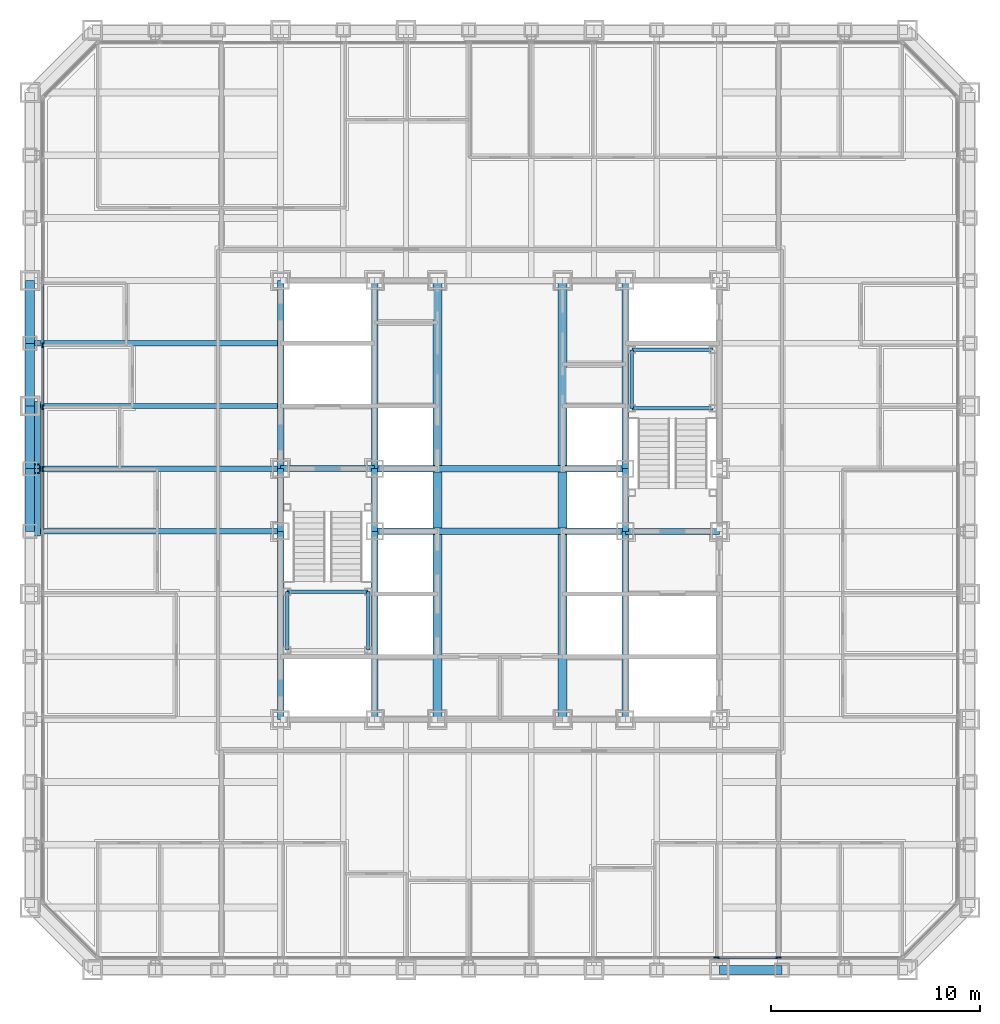
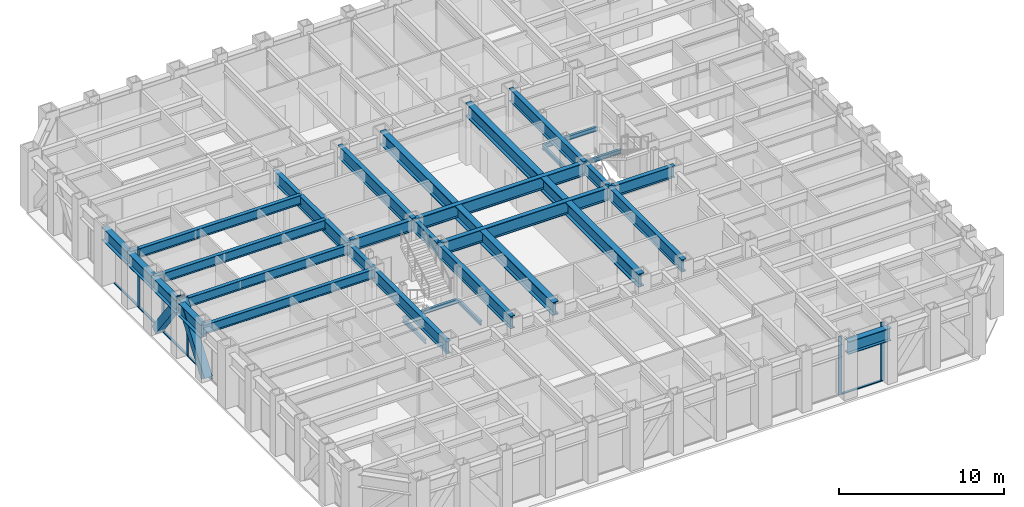
# One storey, part 3 of 16: 34 beams, 12 members, 2 elements without a shape of their own.
"""IFC4 building model written with IfcOpenShell, lengths in metres."""

from ifc_helpers import new_model, si_unit, direction, frame, origin, origin_2d, place, context, subcontext, project, spatial, rectangle, hollow_rectangle, i_section, extrude, material, layer, layer_set, material_profile, profile_set, type_object, element, aggregate, save


model = new_model("IFC4")

# Units and contexts
model_context = context("Model", 3, precision=1e-05, world=origin(), true_north=direction((0.0, 1.0)))
body_context = subcontext(model_context, "Body", "Model", "MODEL_VIEW")
ifc_project = project(units=[si_unit("LENGTHUNIT", "METRE"), si_unit("AREAUNIT", "SQUARE_METRE"), si_unit("VOLUMEUNIT", "CUBIC_METRE"), si_unit("PLANEANGLEUNIT", "RADIAN"), si_unit("MASSUNIT", "GRAM", prefix="KILO")], contexts=[model_context])

# Site, building, storey
site_placement = place(None, origin())
site = spatial("IfcSite", under=ifc_project, at=site_placement, CompositionType="ELEMENT")
building_placement = place(site_placement, origin())
building = spatial("IfcBuilding", under=site, at=building_placement, Name="Chuquiago Exchange Tower", CompositionType="ELEMENT")
storey_placement = place(building_placement, frame((0.0, 0.0, 78.300048828125)))
storey = spatial("IfcBuildingStorey", under=building, at=storey_placement, Name="L16", CompositionType="ELEMENT", Elevation=78.300048828125)

# Beams
ifc_material_1 = material(Name="Steel ASTM A992", Category="steel")
ifc_material_profile_1 = material_profile(ifc_material_1, i_section(OverallWidth=0.307373046875, OverallDepth=0.927001953125, WebThickness=0.01953125, FlangeThickness=0.031982421875, at=origin_2d()), Name="W36X194")
ifc_profile_set_1 = profile_set([ifc_material_profile_1], Name="Steel ASTM A992")
beam_type_1 = type_object("IfcBeamType", Name="B10 W36X194", PredefinedType="BEAM", material=ifc_profile_set_1)
for number, where, z_axis, x_axis, name in (
    (1, (12.0, 12.0, 3.576416015625), (0.0, 1.0, 0.0), (-1.0, 0.0, 0.0), "CB-L17-12_12-12_21"),
    (2, (12.0, 24.0, 3.576416015625), (0.0, 1.0, 0.0), (-1.0, 0.0, 0.0), "CB-L17-12_24-12_33"),
    (3, (16.5, 12.0, 3.87646484375), (0.0, 1.0, 0.0), (-1.0, 0.0, 0.0), "CB-L17-16.5_12-16.5_21"),
    (4, (16.5, 24.0, 3.87646484375), (0.0, 1.0, 0.0), (-1.0, 0.0, 0.0), "CB-L17-16.5_24-16.5_33"),
    (5, (28.5, 12.0, 3.87646484375), (0.0, 1.0, 0.0), (-1.0, 0.0, 0.0), "CB-L17-28.5_12-28.5_21"),
    (6, (28.5, 24.0, 3.87646484375), (0.0, 1.0, 0.0), (-1.0, 0.0, 0.0), "CB-L17-28.5_24-28.5_33"),
):
    element("IfcBeam", number, at=place(storey_placement, frame(where, z_axis=z_axis, x_axis=x_axis)), inside=storey, type_object=beam_type_1, Name=name, PredefinedType="BEAM", context=body_context, shape_type="SweptSolid", body=[
        extrude(i_section(OverallWidth=0.307373046875, OverallDepth=0.927001953125, WebThickness=0.01953125, FlangeThickness=0.031982421875, at=origin_2d()), origin(), (0.0, 0.0, 1.0), 9.0),
    ])
ifc_material_2 = material(Name="Steel ASTM A992", Category="steel")
ifc_material_profile_2 = material_profile(ifc_material_2, i_section(OverallWidth=0.309814453125, OverallDepth=0.949951171875, WebThickness=0.0244140625, FlangeThickness=0.0439453125, at=origin_2d()), Name="W36X256")
ifc_profile_set_2 = profile_set([ifc_material_profile_2], Name="Steel ASTM A992")
beam_type_2 = type_object("IfcBeamType", Name="B11 W36X256", PredefinedType="BEAM", material=ifc_profile_set_2)
for number, where, z_axis, x_axis, name in (
    (7, (16.5, 21.0, 3.864990234375), (1.0, 0.0, 0.0), (0.0, 1.0, 0.0), "CB-L17-16.5_21-28.5_21"),
    (8, (16.5, 24.0, 3.864990234375), (1.0, 0.0, 0.0), (0.0, 1.0, 0.0), "CB-L17-16.5_24-28.5_24"),
):
    element("IfcBeam", number, at=place(storey_placement, frame(where, z_axis=z_axis, x_axis=x_axis)), inside=storey, type_object=beam_type_2, Name=name, PredefinedType="BEAM", context=body_context, shape_type="SweptSolid", body=[
        extrude(i_section(OverallWidth=0.309814453125, OverallDepth=0.949951171875, WebThickness=0.0244140625, FlangeThickness=0.0439453125, at=origin_2d()), origin(), (0.0, 0.0, 1.0), 12.0),
    ])
ifc_material_3 = material(Name="Steel ASTM A992", Category="steel")
ifc_material_profile_3 = material_profile(ifc_material_3, i_section(OverallWidth=0.4267578125, OverallDepth=0.975341796875, WebThickness=0.031005859375, FlangeThickness=0.055908203125, at=origin_2d()), Name="W36X395")
ifc_profile_set_3 = profile_set([ifc_material_profile_3], Name="Steel ASTM A992")
beam_type_3 = type_object("IfcBeamType", Name="B12 W36X395", PredefinedType="BEAM", material=ifc_profile_set_3)
beam_1_placement = place(storey_placement, frame((19.5, 12.0, 3.852294921875), z_axis=(0.0, 1.0, 0.0), x_axis=(-1.0, 0.0, 0.0)))
element("IfcBeam", 9, at=beam_1_placement, inside=storey, type_object=beam_type_3, Name="CB-L17-19.5_12-19.5_20.8451", PredefinedType="BEAM", context=body_context, shape_type="SweptSolid", body=[
    extrude(i_section(OverallWidth=0.4267578125, OverallDepth=0.975341796875, WebThickness=0.031005859375, FlangeThickness=0.055908203125, at=origin_2d()), origin(), (0.0, 0.0, 1.0), 8.84521484375),
])
beam_2_placement = place(storey_placement, frame((19.5, 21.15478515625, 3.852294921875), z_axis=(0.0, 1.0, 0.0), x_axis=(-1.0, 0.0, 0.0)))
element("IfcBeam", 10, at=beam_2_placement, inside=storey, type_object=beam_type_3, Name="CB-L17-19.5_21.1549-19.5_23.8451", PredefinedType="BEAM", context=body_context, shape_type="SweptSolid", body=[
    extrude(i_section(OverallWidth=0.4267578125, OverallDepth=0.975341796875, WebThickness=0.031005859375, FlangeThickness=0.055908203125, at=origin_2d()), origin(), (0.0, 0.0, 1.0), 2.6904296875),
])
for number, where, z_axis, x_axis, name in (
    (11, (19.5, 24.15478515625, 3.852294921875), (0.0, 1.0, 0.0), (-1.0, 0.0, 0.0), "CB-L17-19.5_24.1549-19.5_33"),
    (12, (25.5, 12.0, 3.852294921875), (0.0, 1.0, 0.0), (-1.0, 0.0, 0.0), "CB-L17-25.5_12-25.5_20.8451"),
):
    element("IfcBeam", number, at=place(storey_placement, frame(where, z_axis=z_axis, x_axis=x_axis)), inside=storey, type_object=beam_type_3, Name=name, PredefinedType="BEAM", context=body_context, shape_type="SweptSolid", body=[
        extrude(i_section(OverallWidth=0.4267578125, OverallDepth=0.975341796875, WebThickness=0.031005859375, FlangeThickness=0.055908203125, at=origin_2d()), origin(), (0.0, 0.0, 1.0), 8.84521484375),
    ])
beam_3_placement = place(storey_placement, frame((25.5, 21.15478515625, 3.852294921875), z_axis=(0.0, 1.0, 0.0), x_axis=(-1.0, 0.0, 0.0)))
element("IfcBeam", 13, at=beam_3_placement, inside=storey, type_object=beam_type_3, Name="CB-L17-25.5_21.1549-25.5_23.8451", PredefinedType="BEAM", context=body_context, shape_type="SweptSolid", body=[
    extrude(i_section(OverallWidth=0.4267578125, OverallDepth=0.975341796875, WebThickness=0.031005859375, FlangeThickness=0.055908203125, at=origin_2d()), origin(), (0.0, 0.0, 1.0), 2.6904296875),
])
beam_4_placement = place(storey_placement, frame((25.5, 24.15478515625, 3.852294921875), z_axis=(0.0, 1.0, 0.0), x_axis=(-1.0, 0.0, 0.0)))
element("IfcBeam", 14, at=beam_4_placement, inside=storey, type_object=beam_type_3, Name="CB-L17-25.5_24.1549-25.5_33", PredefinedType="BEAM", context=body_context, shape_type="SweptSolid", body=[
    extrude(i_section(OverallWidth=0.4267578125, OverallDepth=0.975341796875, WebThickness=0.031005859375, FlangeThickness=0.055908203125, at=origin_2d()), origin(), (0.0, 0.0, 1.0), 8.84521484375),
])
ifc_material_4 = material(Name="Steel ASTM A992", Category="steel")
ifc_material_profile_4 = material_profile(ifc_material_4, i_section(OverallWidth=0.2919921875, OverallDepth=0.8583984375, WebThickness=0.01708984375, FlangeThickness=0.031005859375, at=origin_2d()), Name="W33X169")
ifc_profile_set_4 = profile_set([ifc_material_profile_4], Name="Steel ASTM A992")
beam_type_4 = type_object("IfcBeamType", Name="B3 W33X169", PredefinedType="BEAM", material=ifc_profile_set_4)
for number, where, z_axis, x_axis, name in (
    (15, (12.0, 21.0, 3.610595703125), (0.0, 1.0, 0.0), (-1.0, 0.0, 0.0), "CB-L17-12_21-12_24"),
    (16, (16.5, 21.0, 3.91064453125), (0.0, 1.0, 0.0), (-1.0, 0.0, 0.0), "CB-L17-16.5_21-16.5_24"),
    (17, (28.5, 21.0, 3.91064453125), (0.0, 1.0, 0.0), (-1.0, 0.0, 0.0), "CB-L17-28.5_21-28.5_24"),
):
    element("IfcBeam", number, at=place(storey_placement, frame(where, z_axis=z_axis, x_axis=x_axis)), inside=storey, type_object=beam_type_4, Name=name, PredefinedType="BEAM", context=body_context, shape_type="SweptSolid", body=[
        extrude(i_section(OverallWidth=0.2919921875, OverallDepth=0.8583984375, WebThickness=0.01708984375, FlangeThickness=0.031005859375, at=origin_2d()), origin(), (0.0, 0.0, 1.0), 3.0),
    ])
for number, where, z_axis, x_axis, name in (
    (18, (28.5, 21.0, 3.91064453125), (1.0, 0.0, 0.0), (0.0, 1.0, 0.0), "CB-L17-28.5_21-33_21"),
    (19, (12.0, 24.0, 3.91064453125), (1.0, 0.0, 0.0), (0.0, 1.0, 0.0), "CB-L17-12_24-16.5_24"),
):
    element("IfcBeam", number, at=place(storey_placement, frame(where, z_axis=z_axis, x_axis=x_axis)), inside=storey, type_object=beam_type_4, Name=name, PredefinedType="BEAM", context=body_context, shape_type="SweptSolid", body=[
        extrude(i_section(OverallWidth=0.2919921875, OverallDepth=0.8583984375, WebThickness=0.01708984375, FlangeThickness=0.031005859375, at=origin_2d()), origin(), (0.0, 0.0, 1.0), 4.5),
    ])
ifc_material_5 = material(Name="Steel ASTM A992", Category="steel")
ifc_material_profile_5 = material_profile(ifc_material_5, i_section(OverallWidth=0.256591796875, OverallDepth=0.693359375, WebThickness=0.014404296875, FlangeThickness=0.023681640625, at=origin_2d()), Name="W27X114")
ifc_profile_set_5 = profile_set([ifc_material_profile_5], Name="Steel ASTM A992")
beam_type_5 = type_object("IfcBeamType", Name="B4 W27X114", PredefinedType="BEAM", material=ifc_profile_set_5)
for number, where, z_axis, x_axis, name in (
    (20, (12.0, 21.0, 3.693359375), (-1.0, 0.0, 0.0), (0.0, -1.0, 0.0), "FB-L17-infill-12_21--0_21-0"),
    (21, (12.0, 24.0, 3.693359375), (-1.0, 0.0, 0.0), (0.0, -1.0, 0.0), "FB-L17-infill-12_24--0_24-0"),
    (22, (12.0, 27.0, 3.693359375), (-1.0, 0.0, 0.0), (0.0, -1.0, 0.0), "FB-L17-infill-12_27--0_27-0"),
    (23, (12.0, 30.0, 3.693359375), (-1.0, 0.0, 0.0), (0.0, -1.0, 0.0), "FB-L17-infill-12_30--0_30-0"),
):
    element("IfcBeam", number, at=place(storey_placement, frame(where, z_axis=z_axis, x_axis=x_axis)), inside=storey, type_object=beam_type_5, Name=name, PredefinedType="BEAM", context=body_context, shape_type="SweptSolid", body=[
        extrude(i_section(OverallWidth=0.256591796875, OverallDepth=0.693359375, WebThickness=0.014404296875, FlangeThickness=0.023681640625, at=origin_2d()), origin(), (0.0, 0.0, 1.0), 12.0),
    ])

# Curtain wall, members
ifc_material_6 = material(Name="Aluminium curtain wall system", Category="aluminium")
ifc_layer = layer(ifc_material_6, 0.25)
ifc_layer_set = layer_set([ifc_layer], Name="CW1 trading floor curtain wall")
curtain_wall_type = type_object("IfcCurtainWallType", Name="CW1 trading floor curtain wall", PredefinedType="NOTDEFINED", material=ifc_layer_set)
curtain_wall_1_placement = place(storey_placement, origin())
curtain_wall_1 = element("IfcCurtainWall", 24, at=curtain_wall_1_placement, inside=storey, type_object=curtain_wall_type, Name="CW1 curtain wall L16", PredefinedType="NOTDEFINED")
ifc_material_7 = material(Name="Aluminium mullion, pale anodised", Category="aluminium")
ifc_material_profile_6 = material_profile(ifc_material_7, rectangle(XDim=0.074951171875, YDim=0.25, at=origin_2d()), Name="AL 75x250")
ifc_profile_set_6 = profile_set([ifc_material_profile_6], Name="Aluminium mullion, pale anodised")
member_type_1 = type_object("IfcMemberType", Name="CW1-M mullion 75x250", PredefinedType="MULLION", material=ifc_profile_set_6)
member_1_placement = place(storey_placement, frame((32.8662109375, 0.60009765625, -0.300048828125), z_axis=(0.0, 0.0, 1.0), x_axis=(0.0, 1.0, 0.0)))
member_1 = element("IfcMember", 25, at=member_1_placement, type_object=member_type_1, Name="CW1 mullion 11", PredefinedType="MULLION", context=body_context, shape_type="SweptSolid", body=[
    extrude(rectangle(XDim=0.074951171875, YDim=0.25, at=origin_2d()), origin(), (0.0, 0.0, 1.0), 4.340087890625),
])
member_2_placement = place(storey_placement, frame((35.827880859375, 0.60009765625, -0.300048828125), z_axis=(0.0, 0.0, 1.0), x_axis=(0.0, 1.0, 0.0)))
member_2 = element("IfcMember", 26, at=member_2_placement, type_object=member_type_1, Name="CW1 mullion 12", PredefinedType="MULLION", context=body_context, shape_type="SweptSolid", body=[
    extrude(rectangle(XDim=0.074951171875, YDim=0.25, at=origin_2d()), origin(), (0.0, 0.0, 1.0), 4.340087890625),
])

curtain_wall_2_placement = place(storey_placement, origin())
curtain_wall_2 = element("IfcCurtainWall", 27, at=curtain_wall_2_placement, inside=storey, type_object=curtain_wall_type, Name="CW1 curtain wall L16", PredefinedType="NOTDEFINED")
member_3_placement = place(storey_placement, frame((0.60009765625, 29.904541015625, -0.300048828125), z_axis=(0.0, 0.0, 1.0), x_axis=(1.0, 0.0, 0.0)))
member_3 = element("IfcMember", 28, at=member_3_placement, type_object=member_type_1, Name="CW1 mullion 5", PredefinedType="MULLION", context=body_context, shape_type="SweptSolid", body=[
    extrude(rectangle(XDim=0.074951171875, YDim=0.25, at=origin_2d()), origin(), (0.0, 0.0, 1.0), 4.340087890625),
])
member_4_placement = place(storey_placement, frame((0.60009765625, 26.942626953125, -0.300048828125), z_axis=(0.0, 0.0, 1.0), x_axis=(1.0, 0.0, 0.0)))
member_4 = element("IfcMember", 29, at=member_4_placement, type_object=member_type_1, Name="CW1 mullion 6", PredefinedType="MULLION", context=body_context, shape_type="SweptSolid", body=[
    extrude(rectangle(XDim=0.074951171875, YDim=0.25, at=origin_2d()), origin(), (0.0, 0.0, 1.0), 4.340087890625),
])
member_5_placement = place(storey_placement, frame((0.60009765625, 23.98095703125, -0.300048828125), z_axis=(0.0, 0.0, 1.0), x_axis=(1.0, 0.0, 0.0)))
member_5 = element("IfcMember", 30, at=member_5_placement, type_object=member_type_1, Name="CW1 mullion 7", PredefinedType="MULLION", context=body_context, shape_type="SweptSolid", body=[
    extrude(rectangle(XDim=0.074951171875, YDim=0.25, at=origin_2d()), origin(), (0.0, 0.0, 1.0), 4.340087890625),
])

# Member
ifc_material_8 = material(Name="Aluminium transom, pale anodised", Category="aluminium")
ifc_material_profile_7 = material_profile(ifc_material_8, rectangle(XDim=0.14990234375, YDim=0.074951171875, at=origin_2d()), Name="AL 150x75")
ifc_profile_set_7 = profile_set([ifc_material_profile_7], Name="Aluminium transom, pale anodised")
member_type_2 = type_object("IfcMemberType", Name="CW1-T transom 75x150", PredefinedType="MULLION", material=ifc_profile_set_7)
member_6_placement = place(storey_placement, frame((32.90380859375, 0.60009765625, -0.262451171875), z_axis=(1.0, 0.0, 0.0), x_axis=(0.0, 1.0, 0.0)))
member_6 = element("IfcMember", 31, at=member_6_placement, type_object=member_type_2, Name="CW1 transom 11.1", PredefinedType="MULLION", context=body_context, shape_type="SweptSolid", body=[
    extrude(rectangle(XDim=0.14990234375, YDim=0.074951171875, at=origin_2d()), origin(), (0.0, 0.0, 1.0), 2.88671875),
])

aggregate(curtain_wall_1, [member_1, member_2, member_6])

member_7_placement = place(storey_placement, frame((0.60009765625, 32.82861328125, -0.262451171875), z_axis=(0.0, -1.0, 0.0), x_axis=(1.0, 0.0, 0.0)))
member_7 = element("IfcMember", 32, at=member_7_placement, type_object=member_type_2, Name="CW1 transom 4.1", PredefinedType="MULLION", context=body_context, shape_type="SweptSolid", body=[
    extrude(rectangle(XDim=0.14990234375, YDim=0.074951171875, at=origin_2d()), origin(), (0.0, 0.0, 1.0), 2.88671875),
])

member_8_placement = place(storey_placement, frame((0.60009765625, 29.866943359375, -0.262451171875), z_axis=(0.0, -1.0, 0.0), x_axis=(1.0, 0.0, 0.0)))
member_8 = element("IfcMember", 33, at=member_8_placement, type_object=member_type_2, Name="CW1 transom 5.1", PredefinedType="MULLION", context=body_context, shape_type="SweptSolid", body=[
    extrude(rectangle(XDim=0.14990234375, YDim=0.074951171875, at=origin_2d()), origin(), (0.0, 0.0, 1.0), 2.88671875),
])

member_9_placement = place(storey_placement, frame((0.60009765625, 26.9052734375, -0.262451171875), z_axis=(0.0, -1.0, 0.0), x_axis=(1.0, 0.0, 0.0)))
member_9 = element("IfcMember", 34, at=member_9_placement, type_object=member_type_2, Name="CW1 transom 6.1", PredefinedType="MULLION", context=body_context, shape_type="SweptSolid", body=[
    extrude(rectangle(XDim=0.14990234375, YDim=0.074951171875, at=origin_2d()), origin(), (0.0, 0.0, 1.0), 2.886962890625),
])

member_10_placement = place(storey_placement, frame((0.60009765625, 23.943359375, -0.262451171875), z_axis=(0.0, -1.0, 0.0), x_axis=(1.0, 0.0, 0.0)))
member_10 = element("IfcMember", 35, at=member_10_placement, type_object=member_type_2, Name="CW1 transom 7.1", PredefinedType="MULLION", context=body_context, shape_type="SweptSolid", body=[
    extrude(rectangle(XDim=0.14990234375, YDim=0.074951171875, at=origin_2d()), origin(), (0.0, 0.0, 1.0), 2.88671875),
])

aggregate(curtain_wall_2, [member_3, member_4, member_5, member_7, member_8, member_9, member_10])

# Beams
ifc_material_9 = material(Name="Steel ASTM A992", Category="steel")
ifc_material_profile_8 = material_profile(ifc_material_9, i_section(OverallWidth=0.164794921875, OverallDepth=0.309814453125, WebThickness=0.005859375, FlangeThickness=0.009765625, at=origin_2d()), Name="W12X26")
ifc_profile_set_8 = profile_set([ifc_material_profile_8], Name="Steel ASTM A992")
beam_type_6 = type_object("IfcBeamType", Name="LS1 W12X26", PredefinedType="BEAM", material=ifc_profile_set_8)
for number, where, z_axis, x_axis, name in (
    (36, (12.31005859375, 15.31005859375, 1.89501953125), (0.0, 1.0, 0.0), (-1.0, 0.0, 0.0), "Stair ST1 L16 landing 1 stringer"),
    (37, (16.18994140625, 15.31005859375, 1.89501953125), (0.0, 1.0, 0.0), (-1.0, 0.0, 0.0), "Stair ST1 L16 landing 1 stringer"),
    (38, (28.81005859375, 26.889892578125, 1.89501953125), (0.0, 1.0, 0.0), (-1.0, 0.0, 0.0), "Stair ST2 L16 landing 1 stringer"),
):
    element("IfcBeam", number, at=place(storey_placement, frame(where, z_axis=z_axis, x_axis=x_axis)), inside=storey, type_object=beam_type_6, Name=name, PredefinedType="BEAM", context=body_context, shape_type="SweptSolid", body=[
        extrude(i_section(OverallWidth=0.164794921875, OverallDepth=0.309814453125, WebThickness=0.005859375, FlangeThickness=0.009765625, at=origin_2d()), origin(), (0.0, 0.0, 1.0), 2.800048828125),
    ])
ifc_material_10 = material(Name="Steel ASTM A992", Category="steel")
ifc_material_profile_9 = material_profile(ifc_material_10, i_section(OverallWidth=0.164794921875, OverallDepth=0.309814453125, WebThickness=0.005859375, FlangeThickness=0.009765625, at=origin_2d()), Name="W12X26")
ifc_profile_set_9 = profile_set([ifc_material_profile_9], Name="Steel ASTM A992")
beam_type_7 = type_object("IfcBeamType", Name="LT1 W12X26", PredefinedType="BEAM", material=ifc_profile_set_9)
for number, where, z_axis, x_axis, name in (
    (39, (12.31005859375, 18.110107421875, 1.89501953125), (1.0, 0.0, 0.0), (0.0, 1.0, 0.0), "Stair ST1 L16 landing 1 trimmer"),
    (40, (28.81005859375, 29.68994140625, 1.89501953125), (1.0, 0.0, 0.0), (0.0, 1.0, 0.0), "Stair ST2 L16 landing 1 trimmer"),
    (41, (28.81005859375, 26.889892578125, 1.89501953125), (1.0, 0.0, 0.0), (0.0, 1.0, 0.0), "Stair ST2 L16 landing 1 trimmer"),
):
    element("IfcBeam", number, at=place(storey_placement, frame(where, z_axis=z_axis, x_axis=x_axis)), inside=storey, type_object=beam_type_7, Name=name, PredefinedType="BEAM", context=body_context, shape_type="SweptSolid", body=[
        extrude(i_section(OverallWidth=0.164794921875, OverallDepth=0.309814453125, WebThickness=0.005859375, FlangeThickness=0.009765625, at=origin_2d()), origin(), (0.0, 0.0, 1.0), 3.8798828125),
    ])

# Members
ifc_material_11 = material(Name="Steel ASTM A572 Grade 50", Category="steel")
ifc_material_profile_10 = material_profile(ifc_material_11, hollow_rectangle(XDim=0.550048828125, YDim=0.550048828125, WallThickness=0.044921875, at=origin_2d()), Name="BOX550X550X45")
ifc_profile_set_10 = profile_set([ifc_material_profile_10], Name="Steel ASTM A572 Grade 50")
member_type_3 = type_object("IfcMemberType", Name="MB1 BOX550X550X45", PredefinedType="BRACE", material=ifc_profile_set_10)
for number, where, z_axis, x_axis, name in (
    (42, (0.22998046875, 27.0, 0.0), (0.0, -0.596173923302, 0.802855312728), (1.0, 0.0, 0.0), "Mega diagonal L16 W face"),
    (43, (0.22998046875, 21.0, 0.0), (0.0, 0.596173923302, 0.802855312728), (-1.0, 0.0, 0.0), "Mega diagonal L16 W face"),
):
    element("IfcMember", number, at=place(storey_placement, frame(where, z_axis=z_axis, x_axis=x_axis)), inside=storey, type_object=member_type_3, Name=name, PredefinedType="BRACE", context=body_context, shape_type="SweptSolid", body=[
        extrude(hollow_rectangle(XDim=0.550048828125, YDim=0.550048828125, WallThickness=0.044921875, at=origin_2d()), origin(), (0.0, 0.0, 1.0), 5.031982421875),
    ])

# Beams
ifc_material_12 = material(Name="Steel ASTM A992", Category="steel")
ifc_material_profile_11 = material_profile(ifc_material_12, i_section(OverallWidth=0.424072265625, OverallDepth=0.947509765625, WebThickness=0.02392578125, FlangeThickness=0.042724609375, at=origin_2d()), Name="W36X302")
ifc_profile_set_11 = profile_set([ifc_material_profile_11], Name="Steel ASTM A992")
beam_type_8 = type_object("IfcBeamType", Name="SP1 W36X302", PredefinedType="SPANDREL", material=ifc_profile_set_11)
for number, where, z_axis, x_axis, name in (
    (44, (33.0, 0.0, 3.566162109375), (1.0, 0.0, 0.0), (0.0, 1.0, 0.0), "SPB-L17-33_0-36_0"),
    (45, (0.0, 33.0, 3.566162109375), (0.0, -1.0, 0.0), (1.0, 0.0, 0.0), "SPB-L17-0_33-0_30"),
    (46, (0.0, 30.0, 3.566162109375), (0.0, -1.0, 0.0), (1.0, 0.0, 0.0), "SPB-L17-0_30-0_27"),
    (47, (0.0, 27.0, 3.566162109375), (0.0, -1.0, 0.0), (1.0, 0.0, 0.0), "SPB-L17-0_27-0_24"),
    (48, (0.0, 24.0, 3.566162109375), (0.0, -1.0, 0.0), (1.0, 0.0, 0.0), "SPB-L17-0_24-0_21"),
):
    element("IfcBeam", number, at=place(storey_placement, frame(where, z_axis=z_axis, x_axis=x_axis)), inside=storey, type_object=beam_type_8, Name=name, PredefinedType="SPANDREL", context=body_context, shape_type="SweptSolid", body=[
        extrude(i_section(OverallWidth=0.424072265625, OverallDepth=0.947509765625, WebThickness=0.02392578125, FlangeThickness=0.042724609375, at=origin_2d()), origin(), (0.0, 0.0, 1.0), 3.0),
    ])

save(model, "model.ifc")
